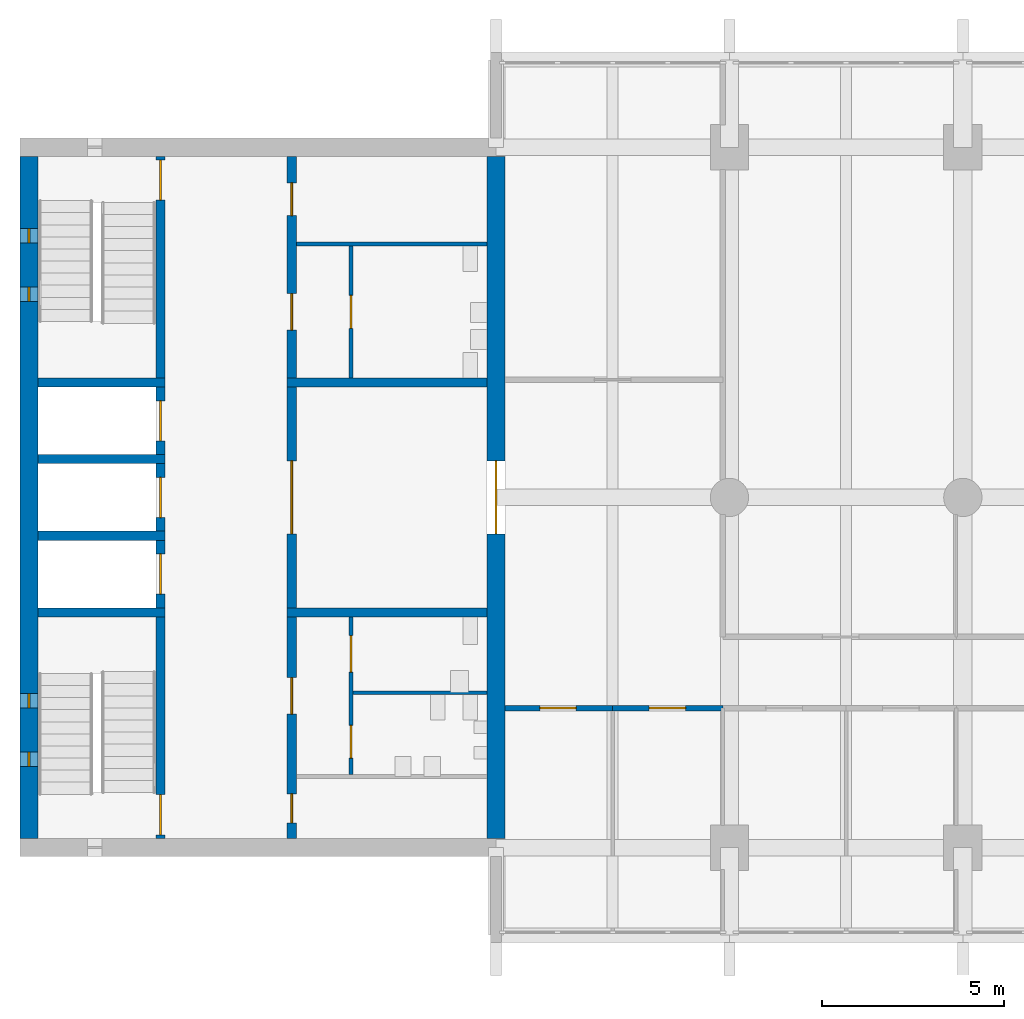
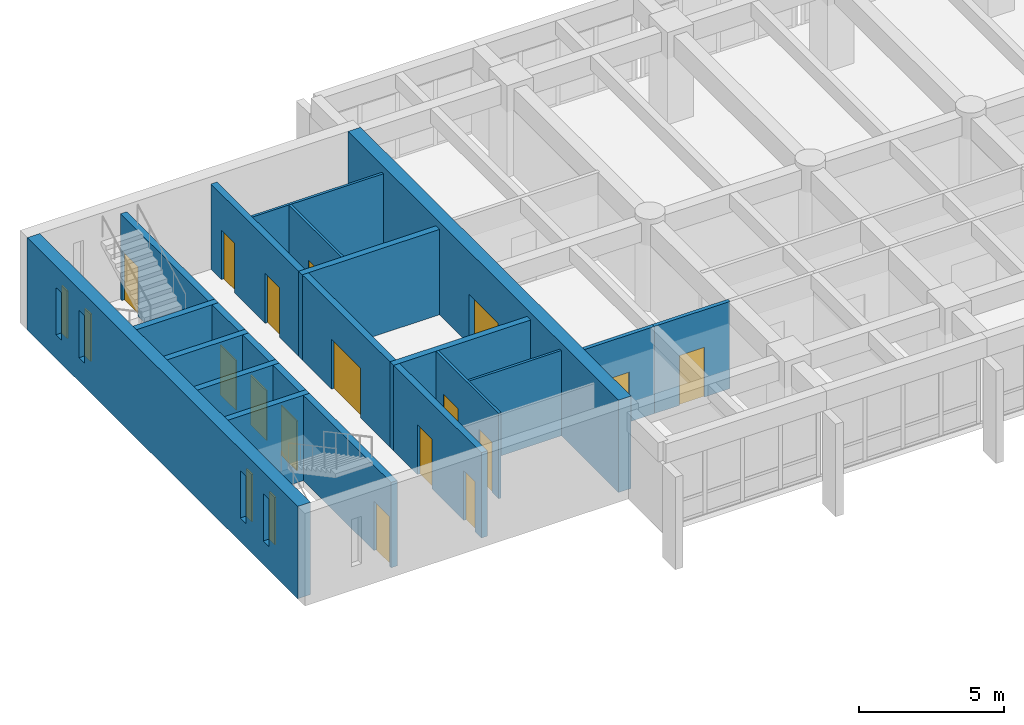
# One storey, part 12 of 19: 22 walls, 16 doors, 4 windows, 20 openings.
"""IFC4 building model written with IfcOpenShell, lengths in metres."""

from ifc_helpers import new_model, si_unit, direction, frame, frame_2d, origin, place, context, subcontext, project, spatial, rectangle, extrude, material, layer, layer_set, type_object, element, fill, save


model = new_model("IFC4")

# Units and contexts
model_context = context("Model", 3, precision=1e-05, world=origin(), true_north=direction((0.0, 1.0)))
body_context = subcontext(model_context, "Body", "Model", "MODEL_VIEW")
ifc_project = project(units=[si_unit("LENGTHUNIT", "METRE"), si_unit("AREAUNIT", "SQUARE_METRE"), si_unit("VOLUMEUNIT", "CUBIC_METRE"), si_unit("PLANEANGLEUNIT", "RADIAN"), si_unit("MASSUNIT", "GRAM", prefix="KILO")], contexts=[model_context])

# Site, building, storey
site_placement = place(None, origin())
site = spatial("IfcSite", under=ifc_project, at=site_placement, CompositionType="ELEMENT")
building_placement = place(site_placement, origin())
building = spatial("IfcBuilding", under=site, at=building_placement, Name="Fogon Plaza Fire Station and Headquarters Tower", CompositionType="ELEMENT")
storey_placement = place(building_placement, frame((0.0, 0.0, 24.89990234375)))
storey = spatial("IfcBuildingStorey", under=building, at=storey_placement, Name="L06", CompositionType="ELEMENT", Elevation=24.89990234375)

# Walls
ifc_material_1 = material(Name="Concrete C40", Category="concrete")
ifc_layer_1 = layer(ifc_material_1, 0.25)
ifc_layer_set_1 = layer_set([ifc_layer_1], Name="Concrete C40")
wall_type_1 = type_object("IfcWallType", Name="Core Wall RC 250", PredefinedType="SOLIDWALL", material=ifc_layer_set_1)
for number, where, z_axis, x_axis, name in (
    (1, (13.050048828125, 40.050048828125, 0.0), (0.0, 0.0, 1.0), (1.0, 0.0, 0.0), "Core A shaft wall"),
    (2, (13.050048828125, 42.14990234375, 0.0), (0.0, 0.0, 1.0), (1.0, 0.0, 0.0), "Core A shaft wall"),
    (3, (13.050048828125, 44.25, 0.0), (0.0, 0.0, 1.0), (1.0, 0.0, 0.0), "Core A shaft wall"),
    (4, (13.050048828125, 46.35009765625, 0.0), (0.0, 0.0, 1.0), (1.0, 0.0, 0.0), "Core A shaft wall"),
):
    element("IfcWall", number, at=place(storey_placement, frame(where, z_axis=z_axis, x_axis=x_axis)), inside=storey, type_object=wall_type_1, Name=name, PredefinedType="SOLIDWALL", context=body_context, shape_type="SweptSolid", body=[
        extrude(rectangle(XDim=3.474853515625, YDim=0.25, at=frame_2d((1.7373046875, 0.0))), origin(), (0.0, 0.0, 1.0), 3.60009765625),
    ])

# Wall, opening, door
wall_1_placement = place(storey_placement, frame((16.39990234375, 33.85009765625, 0.0), z_axis=(0.0, 0.0, 1.0), x_axis=(0.0, 1.0, 0.0)))
wall_1 = element("IfcWall", 5, at=wall_1_placement, inside=storey, type_object=wall_type_1, Name="Core A shaft wall", PredefinedType="SOLIDWALL", context=body_context, shape_type="SweptSolid", body=[
    extrude(rectangle(XDim=6.074951171875, YDim=0.25, at=frame_2d((3.03759765625, 0.0))), origin(), (0.0, 0.0, 1.0), 3.60009765625),
])
opening_1_placement = place(wall_1_placement, frame((0.10009765625, 0.0, 0.0)))
opening_1 = element("IfcOpeningElement", 6, at=opening_1_placement, cuts=wall_1, Name="Opening L06-D01", PredefinedType="OPENING", context=body_context, shape_type="SweptSolid", body=[
    extrude(rectangle(XDim=1.10009765625, YDim=2.10009765625, at=frame_2d((0.550048828125, 1.050048828125))), frame((0.0, 0.135009765625, 0.0), z_axis=(0.0, -1.0, 0.0), x_axis=(1.0, 0.0, 0.0)), (0.0, 0.0, 1.0), 0.27001953125),
])
ifc_material_2 = material(Name="Steel Fire Door Leaf", Category="steel")
door_type_1 = type_object("IfcDoorType", Name="Stair Door Single 1100x2100", OperationType="SINGLE_SWING_LEFT", PredefinedType="DOOR", material=ifc_material_2)
door_1_placement = place(opening_1_placement, origin())
door_1 = element("IfcDoor", 7, at=door_1_placement, inside=storey, type_object=door_type_1, Name="Stair door ST1", OperationType="SINGLE_SWING_LEFT", OverallHeight=2.10009765625, OverallWidth=1.10009765625, PredefinedType="DOOR", context=body_context, shape_type="SweptSolid", body=[
    extrude(rectangle(XDim=1.10009765625, YDim=2.10009765625, at=frame_2d((0.550048828125, 1.050048828125))), frame((0.0, 0.02490234375, 0.0), z_axis=(0.0, -1.0, 0.0), x_axis=(1.0, 0.0, 0.0)), (0.0, 0.0, 1.0), 0.050048828125),
])
fill(opening_1, door_1)

wall_2_placement = place(storey_placement, frame((16.39990234375, 40.175048828125, 0.0), z_axis=(0.0, 0.0, 1.0), x_axis=(0.0, 1.0, 0.0)))
wall_2 = element("IfcWall", 8, at=wall_2_placement, inside=storey, type_object=wall_type_1, Name="Core A shaft wall", PredefinedType="SOLIDWALL", context=body_context, shape_type="SweptSolid", body=[
    extrude(rectangle(XDim=1.849853515625, YDim=0.25, at=frame_2d((0.9248046875, 0.0))), origin(), (0.0, 0.0, 1.0), 3.60009765625),
])
opening_2_placement = place(wall_2_placement, frame((0.375, 0.0, 0.0)))
opening_2 = element("IfcOpeningElement", 9, at=opening_2_placement, cuts=wall_2, Name="Opening L06-D03", PredefinedType="OPENING", context=body_context, shape_type="SweptSolid", body=[
    extrude(rectangle(XDim=1.10009765625, YDim=2.10009765625, at=frame_2d((0.550048828125, 1.050048828125))), frame((0.0, 0.135009765625, 0.0), z_axis=(0.0, -1.0, 0.0), x_axis=(1.0, 0.0, 0.0)), (0.0, 0.0, 1.0), 0.27001953125),
])
ifc_material_3 = material(Name="Stainless Steel", Category="steel")
door_type_2 = type_object("IfcDoorType", Name="Lift Landing Door 1100x2100", OperationType="SLIDING_TO_LEFT", PredefinedType="DOOR", material=ifc_material_3)
door_2_placement = place(opening_2_placement, origin())
door_2 = element("IfcDoor", 10, at=door_2_placement, inside=storey, type_object=door_type_2, Name="Lift LP1 landing door", OperationType="SLIDING_TO_LEFT", OverallHeight=2.10009765625, OverallWidth=1.10009765625, PredefinedType="DOOR", context=body_context, shape_type="SweptSolid", body=[
    extrude(rectangle(XDim=1.10009765625, YDim=2.10009765625, at=frame_2d((0.550048828125, 1.050048828125))), frame((0.0, 0.02490234375, 0.0), z_axis=(0.0, -1.0, 0.0), x_axis=(1.0, 0.0, 0.0)), (0.0, 0.0, 1.0), 0.050048828125),
])
fill(opening_2, door_2)

wall_3_placement = place(storey_placement, frame((16.39990234375, 42.27490234375, 0.0), z_axis=(0.0, 0.0, 1.0), x_axis=(0.0, 1.0, 0.0)))
wall_3 = element("IfcWall", 11, at=wall_3_placement, inside=storey, type_object=wall_type_1, Name="Core A shaft wall", PredefinedType="SOLIDWALL", context=body_context, shape_type="SweptSolid", body=[
    extrude(rectangle(XDim=1.85009765625, YDim=0.25, at=frame_2d((0.925048828125, 0.0))), origin(), (0.0, 0.0, 1.0), 3.60009765625),
])
opening_3_placement = place(wall_3_placement, frame((0.375, 0.0, 0.0)))
opening_3 = element("IfcOpeningElement", 12, at=opening_3_placement, cuts=wall_3, Name="Opening L06-D04", PredefinedType="OPENING", context=body_context, shape_type="SweptSolid", body=[
    extrude(rectangle(XDim=1.10009765625, YDim=2.10009765625, at=frame_2d((0.550048828125, 1.050048828125))), frame((0.0, 0.135009765625, 0.0), z_axis=(0.0, -1.0, 0.0), x_axis=(1.0, 0.0, 0.0)), (0.0, 0.0, 1.0), 0.27001953125),
])
door_3_placement = place(opening_3_placement, origin())
door_3 = element("IfcDoor", 13, at=door_3_placement, inside=storey, type_object=door_type_2, Name="Lift LP2 landing door", OperationType="SLIDING_TO_LEFT", OverallHeight=2.10009765625, OverallWidth=1.10009765625, PredefinedType="DOOR", context=body_context, shape_type="SweptSolid", body=[
    extrude(rectangle(XDim=1.10009765625, YDim=2.10009765625, at=frame_2d((0.550048828125, 1.050048828125))), frame((0.0, 0.02490234375, 0.0), z_axis=(0.0, -1.0, 0.0), x_axis=(1.0, 0.0, 0.0)), (0.0, 0.0, 1.0), 0.050048828125),
])
fill(opening_3, door_3)

wall_4_placement = place(storey_placement, frame((16.39990234375, 44.375, 0.0), z_axis=(0.0, 0.0, 1.0), x_axis=(0.0, 1.0, 0.0)))
wall_4 = element("IfcWall", 14, at=wall_4_placement, inside=storey, type_object=wall_type_1, Name="Core A shaft wall", PredefinedType="SOLIDWALL", context=body_context, shape_type="SweptSolid", body=[
    extrude(rectangle(XDim=1.85009765625, YDim=0.25, at=frame_2d((0.925048828125, 0.0))), origin(), (0.0, 0.0, 1.0), 3.60009765625),
])
opening_4_placement = place(wall_4_placement, frame((0.375, 0.0, 0.0)))
opening_4 = element("IfcOpeningElement", 15, at=opening_4_placement, cuts=wall_4, Name="Opening L06-D05", PredefinedType="OPENING", context=body_context, shape_type="SweptSolid", body=[
    extrude(rectangle(XDim=1.10009765625, YDim=2.10009765625, at=frame_2d((0.550048828125, 1.050048828125))), frame((0.0, 0.135009765625, 0.0), z_axis=(0.0, -1.0, 0.0), x_axis=(1.0, 0.0, 0.0)), (0.0, 0.0, 1.0), 0.27001953125),
])
door_4_placement = place(opening_4_placement, origin())
door_4 = element("IfcDoor", 16, at=door_4_placement, inside=storey, type_object=door_type_2, Name="Lift FL1 landing door", OperationType="SLIDING_TO_LEFT", OverallHeight=2.10009765625, OverallWidth=1.10009765625, PredefinedType="DOOR", context=body_context, shape_type="SweptSolid", body=[
    extrude(rectangle(XDim=1.10009765625, YDim=2.10009765625, at=frame_2d((0.550048828125, 1.050048828125))), frame((0.0, 0.02490234375, 0.0), z_axis=(0.0, -1.0, 0.0), x_axis=(1.0, 0.0, 0.0)), (0.0, 0.0, 1.0), 0.050048828125),
])
fill(opening_4, door_4)

wall_5_placement = place(storey_placement, frame((16.39990234375, 46.47509765625, 0.0), z_axis=(0.0, 0.0, 1.0), x_axis=(0.0, 1.0, 0.0)))
wall_5 = element("IfcWall", 17, at=wall_5_placement, inside=storey, type_object=wall_type_1, Name="Core A shaft wall", PredefinedType="SOLIDWALL", context=body_context, shape_type="SweptSolid", body=[
    extrude(rectangle(XDim=6.074951171875, YDim=0.25, at=frame_2d((3.03759765625, 0.0))), origin(), (0.0, 0.0, 1.0), 3.60009765625),
])
opening_5_placement = place(wall_5_placement, frame((4.875, 0.0, 0.0)))
opening_5 = element("IfcOpeningElement", 18, at=opening_5_placement, cuts=wall_5, Name="Opening L06-D02", PredefinedType="OPENING", context=body_context, shape_type="SweptSolid", body=[
    extrude(rectangle(XDim=1.10009765625, YDim=2.10009765625, at=frame_2d((0.550048828125, 1.050048828125))), frame((0.0, 0.135009765625, 0.0), z_axis=(0.0, -1.0, 0.0), x_axis=(1.0, 0.0, 0.0)), (0.0, 0.0, 1.0), 0.27001953125),
])
door_5_placement = place(opening_5_placement, origin())
door_5 = element("IfcDoor", 19, at=door_5_placement, inside=storey, type_object=door_type_1, Name="Stair door ST2", OperationType="SINGLE_SWING_RIGHT", OverallHeight=2.10009765625, OverallWidth=1.10009765625, PredefinedType="DOOR", context=body_context, shape_type="SweptSolid", body=[
    extrude(rectangle(XDim=1.10009765625, YDim=2.10009765625, at=frame_2d((0.550048828125, 1.050048828125))), frame((0.0, 0.02490234375, 0.0), z_axis=(0.0, -1.0, 0.0), x_axis=(1.0, 0.0, 0.0)), (0.0, 0.0, 1.0), 0.050048828125),
])
fill(opening_5, door_5)

# Wall, openings, doors
wall_6_placement = place(storey_placement, frame((20.0, 33.85009765625, 0.0), z_axis=(0.0, 0.0, 1.0), x_axis=(0.0, 1.0, 0.0)))
wall_6 = element("IfcWall", 20, at=wall_6_placement, inside=storey, type_object=wall_type_1, Name="Core A shaft wall", PredefinedType="SOLIDWALL", context=body_context, shape_type="SweptSolid", body=[
    extrude(rectangle(XDim=6.074951171875, YDim=0.25, at=frame_2d((3.03759765625, 0.0))), origin(), (0.0, 0.0, 1.0), 3.60009765625),
])
opening_6_placement = place(wall_6_placement, frame((0.425048828125, 0.0, 0.0)))
opening_6 = element("IfcOpeningElement", 21, at=opening_6_placement, cuts=wall_6, Name="Opening L06-D08", PredefinedType="OPENING", context=body_context, shape_type="SweptSolid", body=[
    extrude(rectangle(XDim=0.800048828125, YDim=2.10009765625, at=frame_2d((0.39990234375, 1.050048828125))), frame((0.0, 0.135009765625, 0.0), z_axis=(0.0, -1.0, 0.0), x_axis=(1.0, 0.0, 0.0)), (0.0, 0.0, 1.0), 0.27001953125),
])
opening_7_placement = place(wall_6_placement, frame((3.41259765625, 0.0, 0.0)))
opening_7 = element("IfcOpeningElement", 22, at=opening_7_placement, cuts=wall_6, Name="Opening L06-D09", PredefinedType="OPENING", context=body_context, shape_type="SweptSolid", body=[
    extrude(rectangle(XDim=1.0, YDim=2.10009765625, at=frame_2d((0.5, 1.050048828125))), frame((0.0, 0.135009765625, 0.0), z_axis=(0.0, -1.0, 0.0), x_axis=(1.0, 0.0, 0.0)), (0.0, 0.0, 1.0), 0.27001953125),
])
ifc_material_4 = material(Name="Timber Door Leaf", Category="wood")
door_type_3 = type_object("IfcDoorType", Name="Cleaner Store Single 800x2100", OperationType="SINGLE_SWING_LEFT", PredefinedType="DOOR", material=ifc_material_4)
door_6_placement = place(opening_6_placement, frame((0.800048828125, 0.0, 0.0), z_axis=(0.0, 0.0, 1.0), x_axis=(-1.0, 0.0, 0.0)))
door_6 = element("IfcDoor", 23, at=door_6_placement, inside=storey, type_object=door_type_3, Name="Cleaner's store A door", OperationType="SINGLE_SWING_RIGHT", OverallHeight=2.10009765625, OverallWidth=0.800048828125, PredefinedType="DOOR", context=body_context, shape_type="SweptSolid", body=[
    extrude(rectangle(XDim=0.800048828125, YDim=2.10009765625, at=frame_2d((0.39990234375, 1.050048828125))), frame((0.0, 0.02490234375, 0.0), z_axis=(0.0, -1.0, 0.0), x_axis=(1.0, 0.0, 0.0)), (0.0, 0.0, 1.0), 0.050048828125),
])
fill(opening_6, door_6)
ifc_material_5 = material(Name="Timber fire door", Category="wood")
door_type_4 = type_object("IfcDoorType", Name="WC Lobby Single 1000x2100", OperationType="SINGLE_SWING_LEFT", PredefinedType="DOOR", material=ifc_material_5)
door_7_placement = place(opening_7_placement, frame((1.0, 0.0, 0.0), z_axis=(0.0, 0.0, 1.0), x_axis=(-1.0, 0.0, 0.0)))
door_7 = element("IfcDoor", 24, at=door_7_placement, inside=storey, type_object=door_type_4, Name="Men's WC lobby A door", OperationType="SINGLE_SWING_LEFT", OverallHeight=2.10009765625, OverallWidth=1.0, PredefinedType="DOOR", context=body_context, shape_type="SweptSolid", body=[
    extrude(rectangle(XDim=1.0, YDim=2.10009765625, at=frame_2d((0.5, 1.050048828125))), frame((0.0, 0.02490234375, 0.0), z_axis=(0.0, -1.0, 0.0), x_axis=(1.0, 0.0, 0.0)), (0.0, 0.0, 1.0), 0.050048828125),
])
fill(opening_7, door_7)

# Wall, opening, door
wall_7_placement = place(storey_placement, frame((20.0, 40.175048828125, 0.0), z_axis=(0.0, 0.0, 1.0), x_axis=(0.0, 1.0, 0.0)))
wall_7 = element("IfcWall", 25, at=wall_7_placement, inside=storey, type_object=wall_type_1, Name="Core A shaft wall", PredefinedType="SOLIDWALL", context=body_context, shape_type="SweptSolid", body=[
    extrude(rectangle(XDim=6.050048828125, YDim=0.25, at=frame_2d((3.02490234375, 0.0))), origin(), (0.0, 0.0, 1.0), 3.60009765625),
])
opening_8_placement = place(wall_7_placement, frame((2.02490234375, 0.0, 0.0)))
opening_8 = element("IfcOpeningElement", 26, at=opening_8_placement, cuts=wall_7, Name="Opening L06-D06", PredefinedType="OPENING", context=body_context, shape_type="SweptSolid", body=[
    extrude(rectangle(XDim=2.0, YDim=2.10009765625, at=frame_2d((1.0, 1.050048828125))), frame((0.0, 0.135009765625, 0.0), z_axis=(0.0, -1.0, 0.0), x_axis=(1.0, 0.0, 0.0)), (0.0, 0.0, 1.0), 0.27001953125),
])
ifc_material_6 = material(Name="Steel Fire Door Leaf", Category="steel")
door_type_5 = type_object("IfcDoorType", Name="Vestibule Double 2000x2100", OperationType="DOUBLE_DOOR_SINGLE_SWING", PredefinedType="DOOR", material=ifc_material_6)
door_8_placement = place(opening_8_placement, frame((2.0, 0.0, 0.0), z_axis=(0.0, 0.0, 1.0), x_axis=(-1.0, 0.0, 0.0)))
door_8 = element("IfcDoor", 27, at=door_8_placement, inside=storey, type_object=door_type_5, Name="Vestibule A door", OperationType="DOUBLE_DOOR_SINGLE_SWING", OverallHeight=2.10009765625, OverallWidth=2.0, PredefinedType="DOOR", context=body_context, shape_type="SweptSolid", body=[
    extrude(rectangle(XDim=2.0, YDim=2.10009765625, at=frame_2d((1.0, 1.050048828125))), frame((0.0, 0.02490234375, 0.0), z_axis=(0.0, -1.0, 0.0), x_axis=(1.0, 0.0, 0.0)), (0.0, 0.0, 1.0), 0.050048828125),
])
fill(opening_8, door_8)

# Wall, openings, doors
wall_8_placement = place(storey_placement, frame((20.0, 46.47509765625, 0.0), z_axis=(0.0, 0.0, 1.0), x_axis=(0.0, 1.0, 0.0)))
wall_8 = element("IfcWall", 28, at=wall_8_placement, inside=storey, type_object=wall_type_1, Name="Core A shaft wall", PredefinedType="SOLIDWALL", context=body_context, shape_type="SweptSolid", body=[
    extrude(rectangle(XDim=6.074951171875, YDim=0.25, at=frame_2d((3.03759765625, 0.0))), origin(), (0.0, 0.0, 1.0), 3.60009765625),
])
opening_9_placement = place(wall_8_placement, frame((1.3125, 0.0, 0.0)))
opening_9 = element("IfcOpeningElement", 29, at=opening_9_placement, cuts=wall_8, Name="Opening L06-D12", PredefinedType="OPENING", context=body_context, shape_type="SweptSolid", body=[
    extrude(rectangle(XDim=1.0, YDim=2.10009765625, at=frame_2d((0.5, 1.050048828125))), frame((0.0, 0.135009765625, 0.0), z_axis=(0.0, -1.0, 0.0), x_axis=(1.0, 0.0, 0.0)), (0.0, 0.0, 1.0), 0.27001953125),
])
opening_10_placement = place(wall_8_placement, frame((4.449951171875, 0.0, 0.0)))
opening_10 = element("IfcOpeningElement", 30, at=opening_10_placement, cuts=wall_8, Name="Opening L06-D14", PredefinedType="OPENING", context=body_context, shape_type="SweptSolid", body=[
    extrude(rectangle(XDim=0.89990234375, YDim=2.10009765625, at=frame_2d((0.449951171875, 1.050048828125))), frame((0.0, 0.135009765625, 0.0), z_axis=(0.0, -1.0, 0.0), x_axis=(1.0, 0.0, 0.0)), (0.0, 0.0, 1.0), 0.27001953125),
])
ifc_material_7 = material(Name="Steel Fire Door Leaf", Category="steel")
door_type_6 = type_object("IfcDoorType", Name="Riser Single 900x2100", OperationType="SINGLE_SWING_LEFT", PredefinedType="DOOR", material=ifc_material_7)
door_9_placement = place(opening_10_placement, frame((0.89990234375, 0.0, 0.0), z_axis=(0.0, 0.0, 1.0), x_axis=(-1.0, 0.0, 0.0)))
door_9 = element("IfcDoor", 31, at=door_9_placement, inside=storey, type_object=door_type_6, Name="Riser room A door", OperationType="SINGLE_SWING_RIGHT", OverallHeight=2.10009765625, OverallWidth=0.89990234375, PredefinedType="DOOR", context=body_context, shape_type="SweptSolid", body=[
    extrude(rectangle(XDim=0.89990234375, YDim=2.10009765625, at=frame_2d((0.449951171875, 1.050048828125))), frame((0.0, 0.02490234375, 0.0), z_axis=(0.0, -1.0, 0.0), x_axis=(1.0, 0.0, 0.0)), (0.0, 0.0, 1.0), 0.050048828125),
])
fill(opening_10, door_9)
door_10_placement = place(opening_9_placement, frame((1.0, 0.0, 0.0), z_axis=(0.0, 0.0, 1.0), x_axis=(-1.0, 0.0, 0.0)))
door_10 = element("IfcDoor", 32, at=door_10_placement, inside=storey, type_object=door_type_4, Name="Women's WC lobby A door", OperationType="SINGLE_SWING_RIGHT", OverallHeight=2.10009765625, OverallWidth=1.0, PredefinedType="DOOR", context=body_context, shape_type="SweptSolid", body=[
    extrude(rectangle(XDim=1.0, YDim=2.10009765625, at=frame_2d((0.5, 1.050048828125))), frame((0.0, 0.02490234375, 0.0), z_axis=(0.0, -1.0, 0.0), x_axis=(1.0, 0.0, 0.0)), (0.0, 0.0, 1.0), 0.050048828125),
])
fill(opening_9, door_10)

# Walls
for number, where, z_axis, x_axis, name in (
    (33, (19.875, 40.050048828125, 0.0), (0.0, 0.0, 1.0), (1.0, 0.0, 0.0), "Core A shaft wall"),
    (34, (19.875, 46.35009765625, 0.0), (0.0, 0.0, 1.0), (1.0, 0.0, 0.0), "Core A shaft wall"),
):
    element("IfcWall", number, at=place(storey_placement, frame(where, z_axis=z_axis, x_axis=x_axis)), inside=storey, type_object=wall_type_1, Name=name, PredefinedType="SOLIDWALL", context=body_context, shape_type="SweptSolid", body=[
        extrude(rectangle(XDim=5.47509765625, YDim=0.25, at=frame_2d((2.737548828125, 0.0))), origin(), (0.0, 0.0, 1.0), 3.60009765625),
    ])

# Wall, openings, doors
ifc_material_8 = material(Name="Blockwork", Category="masonry")
ifc_layer_2 = layer(ifc_material_8, 0.10009765625)
ifc_layer_set_2 = layer_set([ifc_layer_2], Name="Blockwork")
wall_type_2 = type_object("IfcWallType", Name="Partition Blockwork 100", PredefinedType="PARTITIONING", material=ifc_layer_set_2)
wall_9_placement = place(storey_placement, frame((21.625, 35.60009765625, 0.0), z_axis=(0.0, 0.0, 1.0), x_axis=(0.0, 1.0, 0.0)))
wall_9 = element("IfcWall", 35, at=wall_9_placement, inside=storey, type_object=wall_type_2, Name="WC block partition", PredefinedType="PARTITIONING", context=body_context, shape_type="SweptSolid", body=[
    extrude(rectangle(XDim=4.324951171875, YDim=0.10009765625, at=frame_2d((2.16259765625, 0.0))), origin(), (0.0, 0.0, 1.0), 3.60009765625),
])
opening_11_placement = place(wall_9_placement, frame((0.449951171875, 0.0, 0.0)))
opening_11 = element("IfcOpeningElement", 36, at=opening_11_placement, cuts=wall_9, Name="Opening L06-D10", PredefinedType="OPENING", context=body_context, shape_type="SweptSolid", body=[
    extrude(rectangle(XDim=0.89990234375, YDim=2.10009765625, at=frame_2d((0.449951171875, 1.050048828125))), frame((0.0, 0.06005859375, 0.0), z_axis=(0.0, -1.0, 0.0), x_axis=(1.0, 0.0, 0.0)), (0.0, 0.0, 1.0), 0.1201171875),
])
opening_12_placement = place(wall_9_placement, frame((2.8125, 0.0, 0.0)))
opening_12 = element("IfcOpeningElement", 37, at=opening_12_placement, cuts=wall_9, Name="Opening L06-D11", PredefinedType="OPENING", context=body_context, shape_type="SweptSolid", body=[
    extrude(rectangle(XDim=1.0, YDim=2.10009765625, at=frame_2d((0.5, 1.050048828125))), frame((0.0, 0.06005859375, 0.0), z_axis=(0.0, -1.0, 0.0), x_axis=(1.0, 0.0, 0.0)), (0.0, 0.0, 1.0), 0.1201171875),
])
ifc_material_9 = material(Name="Timber Door Leaf", Category="wood")
door_type_7 = type_object("IfcDoorType", Name="Accessible WC Single 1000x2100", OperationType="SINGLE_SWING_LEFT", PredefinedType="DOOR", material=ifc_material_9)
door_11_placement = place(opening_12_placement, frame((1.0, 0.0, 0.0), z_axis=(0.0, 0.0, 1.0), x_axis=(-1.0, 0.0, 0.0)))
door_11 = element("IfcDoor", 38, at=door_11_placement, inside=storey, type_object=door_type_7, Name="Accessible WC A door", OperationType="SINGLE_SWING_LEFT", OverallHeight=2.10009765625, OverallWidth=1.0, PredefinedType="DOOR", context=body_context, shape_type="SweptSolid", body=[
    extrude(rectangle(XDim=1.0, YDim=2.10009765625, at=frame_2d((0.5, 1.050048828125))), frame((0.0, 0.02490234375, 0.0), z_axis=(0.0, -1.0, 0.0), x_axis=(1.0, 0.0, 0.0)), (0.0, 0.0, 1.0), 0.050048828125),
])
fill(opening_12, door_11)
ifc_material_10 = material(Name="Timber Door Leaf", Category="wood")
door_type_8 = type_object("IfcDoorType", Name="WC Single 900x2100", OperationType="SINGLE_SWING_LEFT", PredefinedType="DOOR", material=ifc_material_10)
door_12_placement = place(opening_11_placement, frame((0.89990234375, 0.0, 0.0), z_axis=(0.0, 0.0, 1.0), x_axis=(-1.0, 0.0, 0.0)))
door_12 = element("IfcDoor", 39, at=door_12_placement, inside=storey, type_object=door_type_8, Name="Men's WC A door", OperationType="SINGLE_SWING_RIGHT", OverallHeight=2.10009765625, OverallWidth=0.89990234375, PredefinedType="DOOR", context=body_context, shape_type="SweptSolid", body=[
    extrude(rectangle(XDim=0.89990234375, YDim=2.10009765625, at=frame_2d((0.449951171875, 1.050048828125))), frame((0.0, 0.02490234375, 0.0), z_axis=(0.0, -1.0, 0.0), x_axis=(1.0, 0.0, 0.0)), (0.0, 0.0, 1.0), 0.050048828125),
])
fill(opening_11, door_12)

# Wall
wall_10_placement = place(storey_placement, frame((21.675048828125, 37.85009765625, 0.0), z_axis=(0.0, 0.0, 1.0), x_axis=(1.0, 0.0, 0.0)))
element("IfcWall", 40, at=wall_10_placement, inside=storey, type_object=wall_type_2, Name="WC block partition", PredefinedType="PARTITIONING", context=body_context, shape_type="SweptSolid", body=[
    extrude(rectangle(XDim=3.675048828125, YDim=0.10009765625, at=frame_2d((1.83740234375, 0.0))), origin(), (0.0, 0.0, 1.0), 3.60009765625),
])

# Wall, opening, door
wall_11_placement = place(storey_placement, frame((21.625, 46.47509765625, 0.0), z_axis=(0.0, 0.0, 1.0), x_axis=(0.0, 1.0, 0.0)))
wall_11 = element("IfcWall", 41, at=wall_11_placement, inside=storey, type_object=wall_type_2, Name="WC block partition", PredefinedType="PARTITIONING", context=body_context, shape_type="SweptSolid", body=[
    extrude(rectangle(XDim=3.625, YDim=0.10009765625, at=frame_2d((1.8125, 0.0))), origin(), (0.0, 0.0, 1.0), 3.60009765625),
])
opening_13_placement = place(wall_11_placement, frame((1.362548828125, 0.0, 0.0)))
opening_13 = element("IfcOpeningElement", 42, at=opening_13_placement, cuts=wall_11, Name="Opening L06-D13", PredefinedType="OPENING", context=body_context, shape_type="SweptSolid", body=[
    extrude(rectangle(XDim=0.89990234375, YDim=2.10009765625, at=frame_2d((0.449951171875, 1.050048828125))), frame((0.0, 0.06005859375, 0.0), z_axis=(0.0, -1.0, 0.0), x_axis=(1.0, 0.0, 0.0)), (0.0, 0.0, 1.0), 0.1201171875),
])
door_13_placement = place(opening_13_placement, frame((0.89990234375, 0.0, 0.0), z_axis=(0.0, 0.0, 1.0), x_axis=(-1.0, 0.0, 0.0)))
door_13 = element("IfcDoor", 43, at=door_13_placement, inside=storey, type_object=door_type_8, Name="Women's WC A door", OperationType="SINGLE_SWING_LEFT", OverallHeight=2.10009765625, OverallWidth=0.89990234375, PredefinedType="DOOR", context=body_context, shape_type="SweptSolid", body=[
    extrude(rectangle(XDim=0.89990234375, YDim=2.10009765625, at=frame_2d((0.449951171875, 1.050048828125))), frame((0.0, 0.02490234375, 0.0), z_axis=(0.0, -1.0, 0.0), x_axis=(1.0, 0.0, 0.0)), (0.0, 0.0, 1.0), 0.050048828125),
])
fill(opening_13, door_13)

# Wall
ifc_material_11 = material(Name="Blockwork", Category="masonry")
ifc_layer_3 = layer(ifc_material_11, 0.10009765625)
ifc_layer_set_3 = layer_set([ifc_layer_3], Name="Blockwork")
wall_type_3 = type_object("IfcWallType", Name="Riser Partition Blockwork 100", PredefinedType="PARTITIONING", material=ifc_layer_set_3)
wall_12_placement = place(storey_placement, frame((20.125, 50.14990234375, 0.0), z_axis=(0.0, 0.0, 1.0), x_axis=(1.0, 0.0, 0.0)))
element("IfcWall", 44, at=wall_12_placement, inside=storey, type_object=wall_type_3, Name="Riser room partition", PredefinedType="PARTITIONING", context=body_context, shape_type="SweptSolid", body=[
    extrude(rectangle(XDim=5.22509765625, YDim=0.10009765625, at=frame_2d((2.612548828125, 0.0))), origin(), (0.0, 0.0, 1.0), 3.60009765625),
])

# Wall, opening, door
ifc_material_12 = material(Name="Concrete C40", Category="concrete")
ifc_layer_4 = layer(ifc_material_12, 0.5)
ifc_layer_set_4 = layer_set([ifc_layer_4], Name="Concrete C40")
wall_type_4 = type_object("IfcWallType", Name="Shear wall 500 SW50", PredefinedType="SHEAR", material=ifc_layer_set_4)
wall_13_placement = place(storey_placement, frame((25.60009765625, 33.85009765625, 0.0), z_axis=(0.0, 0.0, 1.0), x_axis=(0.0, 1.0, 0.0)))
wall_13 = element("IfcWall", 45, at=wall_13_placement, inside=storey, type_object=wall_type_4, Name="wall-coreA-E-L06", PredefinedType="SHEAR", context=body_context, shape_type="SweptSolid", body=[
    extrude(rectangle(XDim=18.699951171875, YDim=0.5, at=frame_2d((9.35009765625, 0.0))), origin(), (0.0, 0.0, 1.0), 3.900146484375),
])
opening_14_placement = place(wall_13_placement, frame((8.35009765625, 0.0, 0.0)))
opening_14 = element("IfcOpeningElement", 46, at=opening_14_placement, cuts=wall_13, Name="Opening L06-D07", PredefinedType="OPENING", context=body_context, shape_type="SweptSolid", body=[
    extrude(rectangle(XDim=2.0, YDim=2.10009765625, at=frame_2d((1.0, 1.050048828125))), frame((0.0, 0.260009765625, 0.0), z_axis=(0.0, -1.0, 0.0), x_axis=(1.0, 0.0, 0.0)), (0.0, 0.0, 1.0), 0.52001953125),
])
door_14_placement = place(opening_14_placement, origin())
door_14 = element("IfcDoor", 47, at=door_14_placement, inside=storey, type_object=door_type_5, Name="Vestibule A door to the office zone", OperationType="DOUBLE_DOOR_SINGLE_SWING", OverallHeight=2.10009765625, OverallWidth=2.0, PredefinedType="DOOR", context=body_context, shape_type="SweptSolid", body=[
    extrude(rectangle(XDim=2.0, YDim=2.10009765625, at=frame_2d((1.0, 1.050048828125))), frame((0.0, 0.02490234375, 0.0), z_axis=(0.0, -1.0, 0.0), x_axis=(1.0, 0.0, 0.0)), (0.0, 0.0, 1.0), 0.050048828125),
])
fill(opening_14, door_14)

# Wall, openings, windows
wall_14_placement = place(storey_placement, frame((12.800048828125, 33.85009765625, 0.0), z_axis=(0.0, 0.0, 1.0), x_axis=(0.0, 1.0, 0.0)))
wall_14 = element("IfcWall", 48, at=wall_14_placement, inside=storey, type_object=wall_type_4, Name="wall-coreA-W-L06", PredefinedType="SHEAR", context=body_context, shape_type="SweptSolid", body=[
    extrude(rectangle(XDim=18.699951171875, YDim=0.5, at=frame_2d((9.35009765625, 0.0))), origin(), (0.0, 0.0, 1.0), 3.900146484375),
])
opening_15_placement = place(wall_14_placement, frame((1.97509765625, 0.0, 1.0)))
opening_15 = element("IfcOpeningElement", 49, at=opening_15_placement, cuts=wall_14, Name="Opening WS1", PredefinedType="OPENING", context=body_context, shape_type="SweptSolid", body=[
    extrude(rectangle(XDim=0.39990234375, YDim=2.0, at=frame_2d((0.199951171875, 1.0))), frame((0.0, 0.260009765625, 0.0), z_axis=(0.0, -1.0, 0.0), x_axis=(1.0, 0.0, 0.0)), (0.0, 0.0, 1.0), 0.52001953125),
])
opening_16_placement = place(wall_14_placement, frame((3.574951171875, 0.0, 1.0)))
opening_16 = element("IfcOpeningElement", 50, at=opening_16_placement, cuts=wall_14, Name="Opening WS1", PredefinedType="OPENING", context=body_context, shape_type="SweptSolid", body=[
    extrude(rectangle(XDim=0.39990234375, YDim=2.0, at=frame_2d((0.199951171875, 1.0))), frame((0.0, 0.260009765625, 0.0), z_axis=(0.0, -1.0, 0.0), x_axis=(1.0, 0.0, 0.0)), (0.0, 0.0, 1.0), 0.52001953125),
])
opening_17_placement = place(wall_14_placement, frame((14.72509765625, 0.0, 1.0)))
opening_17 = element("IfcOpeningElement", 51, at=opening_17_placement, cuts=wall_14, Name="Opening WS1", PredefinedType="OPENING", context=body_context, shape_type="SweptSolid", body=[
    extrude(rectangle(XDim=0.39990234375, YDim=2.0, at=frame_2d((0.199951171875, 1.0))), frame((0.0, 0.260009765625, 0.0), z_axis=(0.0, -1.0, 0.0), x_axis=(1.0, 0.0, 0.0)), (0.0, 0.0, 1.0), 0.52001953125),
])
opening_18_placement = place(wall_14_placement, frame((16.324951171875, 0.0, 1.0)))
opening_18 = element("IfcOpeningElement", 52, at=opening_18_placement, cuts=wall_14, Name="Opening WS1", PredefinedType="OPENING", context=body_context, shape_type="SweptSolid", body=[
    extrude(rectangle(XDim=0.39990234375, YDim=2.0, at=frame_2d((0.199951171875, 1.0))), frame((0.0, 0.260009765625, 0.0), z_axis=(0.0, -1.0, 0.0), x_axis=(1.0, 0.0, 0.0)), (0.0, 0.0, 1.0), 0.52001953125),
])
ifc_material_13 = material(Name="Aluminium framed double glazing", Category="aluminium")
window_type = type_object("IfcWindowType", Name="Slit Window WS1 400x2000", PartitioningType="SINGLE_PANEL", PredefinedType="WINDOW", material=ifc_material_13)
window_1_placement = place(opening_15_placement, origin())
window_1 = element("IfcWindow", 53, at=window_1_placement, inside=storey, type_object=window_type, Name="Slit window A1 L06", OverallHeight=2.0, OverallWidth=0.39990234375, PartitioningType="SINGLE_PANEL", PredefinedType="WINDOW", context=body_context, shape_type="SweptSolid", body=[
    extrude(rectangle(XDim=0.39990234375, YDim=2.0, at=frame_2d((0.199951171875, 1.0))), frame((0.0, 0.030029296875, 0.0), z_axis=(0.0, -1.0, 0.0), x_axis=(1.0, 0.0, 0.0)), (0.0, 0.0, 1.0), 0.06005859375),
])
fill(opening_15, window_1)
window_2_placement = place(opening_16_placement, origin())
window_2 = element("IfcWindow", 54, at=window_2_placement, inside=storey, type_object=window_type, Name="Slit window A2 L06", OverallHeight=2.0, OverallWidth=0.39990234375, PartitioningType="SINGLE_PANEL", PredefinedType="WINDOW", context=body_context, shape_type="SweptSolid", body=[
    extrude(rectangle(XDim=0.39990234375, YDim=2.0, at=frame_2d((0.199951171875, 1.0))), frame((0.0, 0.030029296875, 0.0), z_axis=(0.0, -1.0, 0.0), x_axis=(1.0, 0.0, 0.0)), (0.0, 0.0, 1.0), 0.06005859375),
])
fill(opening_16, window_2)
window_3_placement = place(opening_17_placement, origin())
window_3 = element("IfcWindow", 55, at=window_3_placement, inside=storey, type_object=window_type, Name="Slit window A3 L06", OverallHeight=2.0, OverallWidth=0.39990234375, PartitioningType="SINGLE_PANEL", PredefinedType="WINDOW", context=body_context, shape_type="SweptSolid", body=[
    extrude(rectangle(XDim=0.39990234375, YDim=2.0, at=frame_2d((0.199951171875, 1.0))), frame((0.0, 0.030029296875, 0.0), z_axis=(0.0, -1.0, 0.0), x_axis=(1.0, 0.0, 0.0)), (0.0, 0.0, 1.0), 0.06005859375),
])
fill(opening_17, window_3)
window_4_placement = place(opening_18_placement, origin())
window_4 = element("IfcWindow", 56, at=window_4_placement, inside=storey, type_object=window_type, Name="Slit window A4 L06", OverallHeight=2.0, OverallWidth=0.39990234375, PartitioningType="SINGLE_PANEL", PredefinedType="WINDOW", context=body_context, shape_type="SweptSolid", body=[
    extrude(rectangle(XDim=0.39990234375, YDim=2.0, at=frame_2d((0.199951171875, 1.0))), frame((0.0, 0.030029296875, 0.0), z_axis=(0.0, -1.0, 0.0), x_axis=(1.0, 0.0, 0.0)), (0.0, 0.0, 1.0), 0.06005859375),
])
fill(opening_18, window_4)

# Wall, opening, door
ifc_material_14 = material(Name="Gypsum board on steel stud", Category="steel")
ifc_layer_5 = layer(ifc_material_14, 0.14990234375)
ifc_layer_set_5 = layer_set([ifc_layer_5], Name="Gypsum board on steel stud")
wall_type_5 = type_object("IfcWallType", Name="Tower corridor partition 150 EI 60", PredefinedType="PARTITIONING", material=ifc_layer_set_5)
wall_15_placement = place(storey_placement, frame((25.85009765625, 37.425048828125, 0.0), z_axis=(0.0, 0.0, 1.0), x_axis=(1.0, 0.0, 0.0)))
wall_15 = element("IfcWall", 57, at=wall_15_placement, inside=storey, type_object=wall_type_5, Name="part-L06-01", PredefinedType="PARTITIONING", context=body_context, shape_type="SweptSolid", body=[
    extrude(rectangle(XDim=2.949951171875, YDim=0.14990234375, at=frame_2d((1.47509765625, 0.0))), origin(), (0.0, 0.0, 1.0), 3.68017578125),
])
opening_19_placement = place(wall_15_placement, frame((0.949951171875, 0.0, 0.0)))
opening_19 = element("IfcOpeningElement", 58, at=opening_19_placement, cuts=wall_15, Name="Opening L06-D29", PredefinedType="OPENING", context=body_context, shape_type="SweptSolid", body=[
    extrude(rectangle(XDim=1.0, YDim=2.10009765625, at=frame_2d((0.5, 1.050048828125))), frame((0.0, 0.0849609375, 0.0), z_axis=(0.0, -1.0, 0.0), x_axis=(1.0, 0.0, 0.0)), (0.0, 0.0, 1.0), 0.169921875),
])
ifc_material_15 = material(Name="Timber fire door", Category="wood")
door_type_9 = type_object("IfcDoorType", Name="Tower fire door single 1000 EI 20", OperationType="SINGLE_SWING_LEFT", PredefinedType="DOOR", material=ifc_material_15)
door_15_placement = place(opening_19_placement, frame((1.0, 0.0, 0.0), z_axis=(0.0, 0.0, 1.0), x_axis=(-1.0, 0.0, 0.0)))
door_15 = element("IfcDoor", 59, at=door_15_placement, inside=storey, type_object=door_type_9, Name="door-L06-01", OperationType="SINGLE_SWING_LEFT", OverallHeight=2.10009765625, OverallWidth=1.0, PredefinedType="DOOR", context=body_context, shape_type="SweptSolid", body=[
    extrude(rectangle(XDim=1.0, YDim=2.10009765625, at=frame_2d((0.5, 1.050048828125))), frame((0.0, 0.02490234375, 0.0), z_axis=(0.0, -1.0, 0.0), x_axis=(1.0, 0.0, 0.0)), (0.0, 0.0, 1.0), 0.050048828125),
])
fill(opening_19, door_15)

wall_16_placement = place(storey_placement, frame((28.800048828125, 37.425048828125, 0.0), z_axis=(0.0, 0.0, 1.0), x_axis=(1.0, 0.0, 0.0)))
wall_16 = element("IfcWall", 60, at=wall_16_placement, inside=storey, type_object=wall_type_5, Name="part-L06-02", PredefinedType="PARTITIONING", context=body_context, shape_type="SweptSolid", body=[
    extrude(rectangle(XDim=3.02001953125, YDim=0.14990234375, at=frame_2d((1.510009765625, 0.0))), origin(), (0.0, 0.0, 1.0), 3.68017578125),
])
opening_20_placement = place(wall_16_placement, frame((1.0, 0.0, 0.0)))
opening_20 = element("IfcOpeningElement", 61, at=opening_20_placement, cuts=wall_16, Name="Opening L06-D30", PredefinedType="OPENING", context=body_context, shape_type="SweptSolid", body=[
    extrude(rectangle(XDim=1.0, YDim=2.10009765625, at=frame_2d((0.5, 1.050048828125))), frame((0.0, 0.0849609375, 0.0), z_axis=(0.0, -1.0, 0.0), x_axis=(1.0, 0.0, 0.0)), (0.0, 0.0, 1.0), 0.169921875),
])
door_16_placement = place(opening_20_placement, frame((1.0, 0.0, 0.0), z_axis=(0.0, 0.0, 1.0), x_axis=(-1.0, 0.0, 0.0)))
door_16 = element("IfcDoor", 62, at=door_16_placement, inside=storey, type_object=door_type_9, Name="door-L06-02", OperationType="SINGLE_SWING_RIGHT", OverallHeight=2.10009765625, OverallWidth=1.0, PredefinedType="DOOR", context=body_context, shape_type="SweptSolid", body=[
    extrude(rectangle(XDim=1.0, YDim=2.10009765625, at=frame_2d((0.5, 1.050048828125))), frame((0.0, 0.02490234375, 0.0), z_axis=(0.0, -1.0, 0.0), x_axis=(1.0, 0.0, 0.0)), (0.0, 0.0, 1.0), 0.050048828125),
])
fill(opening_20, door_16)

save(model, "model.ifc")
